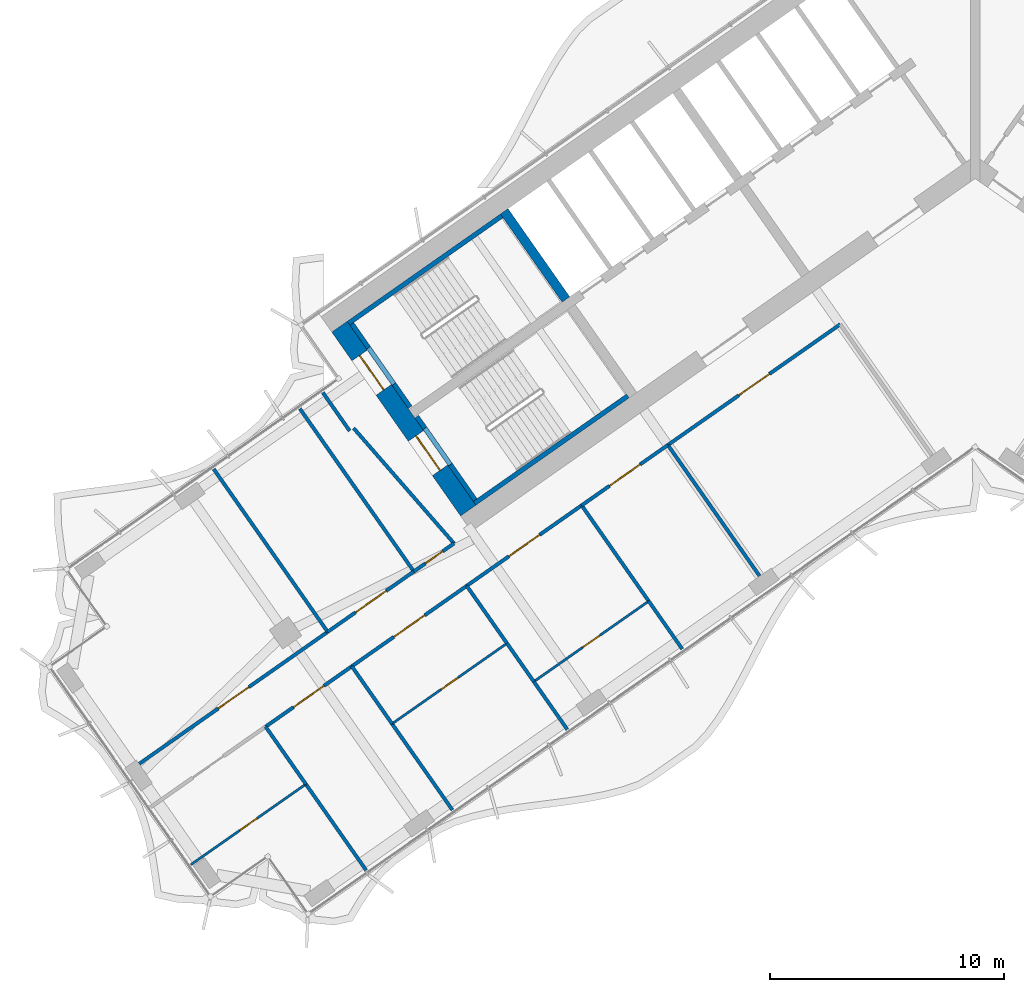
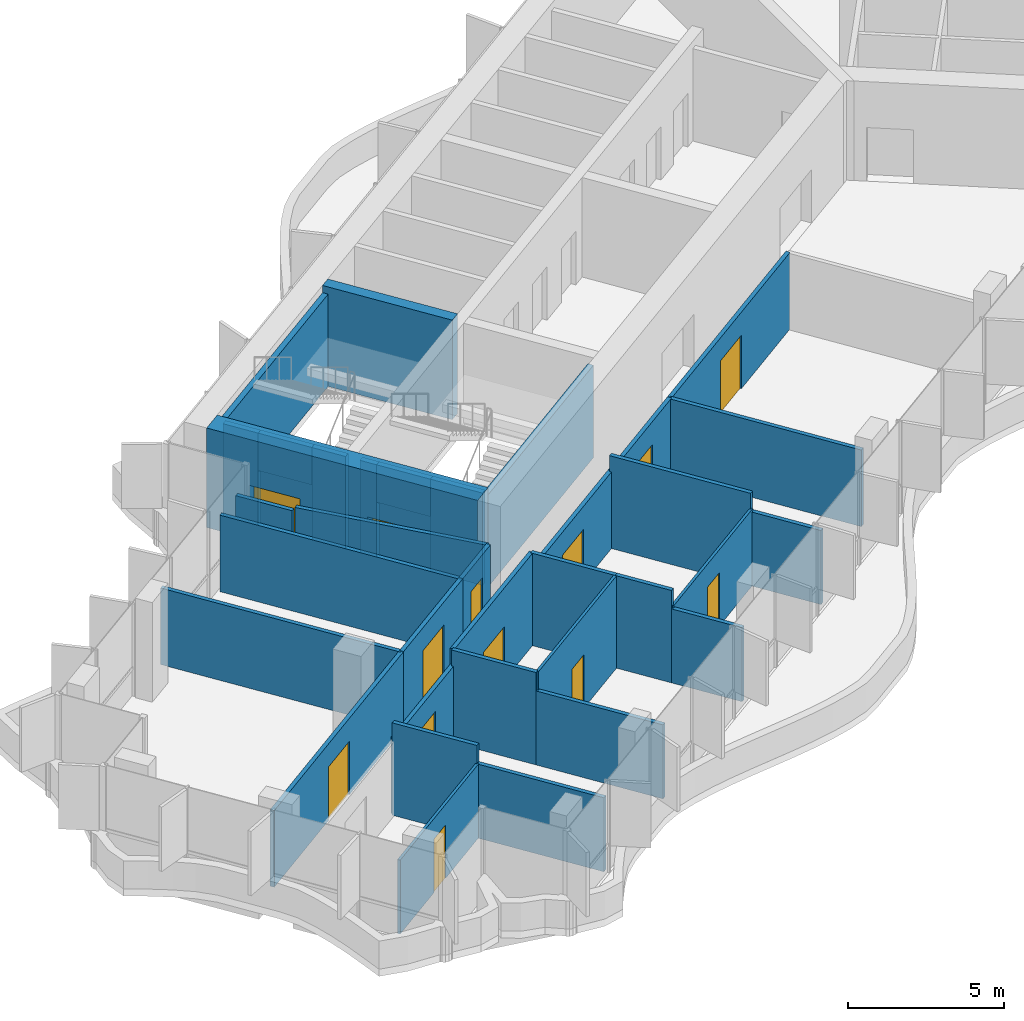
# One storey, part 12 of 21: 35 walls, 13 doors, 13 openings.
"""IFC4 building model written with IfcOpenShell, lengths in metres."""

from ifc_helpers import new_model, si_unit, direction, frame, frame_2d, origin, place, context, subcontext, project, spatial, polyline, rectangle, outline, extrude, material, layer, layer_set, type_object, element, fill, save


model = new_model("IFC4")

# Units and contexts
model_context = context("Model", 3, precision=1e-05, world=origin(), true_north=direction((0.0, 1.0)))
body_context = subcontext(model_context, "Body", "Model", "MODEL_VIEW")
ifc_project = project(units=[si_unit("LENGTHUNIT", "METRE"), si_unit("AREAUNIT", "SQUARE_METRE"), si_unit("VOLUMEUNIT", "CUBIC_METRE"), si_unit("PLANEANGLEUNIT", "RADIAN"), si_unit("MASSUNIT", "GRAM", prefix="KILO")], contexts=[model_context])

# Site, building, storey
site_placement = place(None, origin())
site = spatial("IfcSite", under=ifc_project, at=site_placement, CompositionType="ELEMENT")
building_placement = place(site_placement, origin())
building = spatial("IfcBuilding", under=site, at=building_placement, Name="Tel Ilan Convention Tower", CompositionType="ELEMENT")
storey_placement = place(building_placement, frame((0.0, 0.0, 139.800048828125)))
storey = spatial("IfcBuildingStorey", under=building, at=storey_placement, Name="L31", CompositionType="ELEMENT", Elevation=139.800048828125)

# Wall
ifc_material_1 = material(Name="Concrete C50/60", Category="concrete")
ifc_layer_1 = layer(ifc_material_1, 0.39990234375)
ifc_layer_set_1 = layer_set([ifc_layer_1], Name="Core Shear Wall 400 mm C50/60")
wall_type_1 = type_object("IfcWallType", Name="Core Shear Wall 400 mm C50/60", PredefinedType="SHEAR", material=ifc_layer_set_1)
wall_1_placement = place(storey_placement, frame((-17.497802734375, -6.392333984375, 0.0), z_axis=(0.0, 0.0, 1.0), x_axis=(-0.573611936273, 0.819127185829, 0.0)))
element("IfcWall", 1, at=wall_1_placement, inside=storey, type_object=wall_type_1, Name="L31 core wall W-cross2-2", PredefinedType="SHEAR", context=body_context, shape_type="SweptSolid", body=[
    extrude(outline(polyline([(4.599853515625, -0.2001953125), (4.599853515625, 0.199951171875), (0.0, 0.2001953125), (0.0, -0.199951171875), (4.599853515625, -0.2001953125)])), origin(), (0.0, 0.0, 1.0), 3.89990234375),
])

# Wall, openings, doors
ifc_material_2 = material(Name="Concrete C50/60", Category="concrete")
ifc_layer_2 = layer(ifc_material_2, 0.800048828125)
ifc_layer_set_2 = layer_set([ifc_layer_2], Name="Core Shear Wall 800 mm C50/60")
wall_type_2 = type_object("IfcWallType", Name="Core Shear Wall 800 mm C50/60", PredefinedType="SHEAR", material=ifc_layer_set_2)
wall_2_placement = place(storey_placement, frame((-21.6748046875, -15.4208984375, 0.0), z_axis=(0.0, 0.0, 1.0), x_axis=(-0.573581815061, 0.819148278049, 0.0)))
wall_2 = element("IfcWall", 2, at=wall_2_placement, inside=storey, type_object=wall_type_2, Name="L31 core wall W-end", PredefinedType="SHEAR", context=body_context, shape_type="SweptSolid", body=[
    extrude(outline(polyline([(0.0, 0.39990234375), (0.0, -0.39990234375), (9.599853515625, -0.400146484375), (9.599853515625, 0.39990234375), (0.0, 0.39990234375)])), origin(), (0.0, 0.0, 1.0), 3.89990234375),
])
opening_1_placement = place(wall_2_placement, frame((6.300048828125, 0.0, 0.0)))
opening_1 = element("IfcOpeningElement", 3, at=opening_1_placement, cuts=wall_2, Name="Opening SD2501", PredefinedType="OPENING", context=body_context, shape_type="SweptSolid", body=[
    extrude(rectangle(XDim=1.800048828125, YDim=2.10009765625, at=frame_2d((0.89990234375, 1.050048828125))), frame((0.0, 0.409912109375, 0.0), z_axis=(0.0, -1.0, 0.0), x_axis=(1.0, 0.0, 0.0)), (0.0, 0.0, 1.0), 0.820068359375),
])
opening_2_placement = place(wall_2_placement, frame((2.10009765625, 0.0, 0.0)))
opening_2 = element("IfcOpeningElement", 4, at=opening_2_placement, cuts=wall_2, Name="Opening SD2502", PredefinedType="OPENING", context=body_context, shape_type="SweptSolid", body=[
    extrude(rectangle(XDim=1.800048828125, YDim=2.10009765625, at=frame_2d((0.89990234375, 1.050048828125))), frame((0.0, 0.409912109375, 0.0), z_axis=(0.0, -1.0, 0.0), x_axis=(1.0, 0.0, 0.0)), (0.0, 0.0, 1.0), 0.820068359375),
])
ifc_material_3 = material(Name="Galvanised Steel Door Leaf", Category="steel")
door_type_1 = type_object("IfcDoorType", Name="Stair Fire Door 1800 x 2100 FD60S", OperationType="NOTDEFINED", PredefinedType="DOOR", material=ifc_material_3)
door_1_placement = place(opening_1_placement, origin())
door_1 = element("IfcDoor", 5, at=door_1_placement, inside=storey, type_object=door_type_1, Name="Stair S1 door", OperationType="DOUBLE_DOOR_SINGLE_SWING", OverallHeight=2.10009765625, OverallWidth=1.800048828125, PredefinedType="DOOR", context=body_context, shape_type="SweptSolid", body=[
    extrude(rectangle(XDim=1.800048828125, YDim=2.10009765625, at=frame_2d((0.89990234375, 1.050048828125))), frame((0.0, 0.02490234375, 0.0), z_axis=(0.0, -1.0, 0.0), x_axis=(1.0, 0.0, 0.0)), (0.0, 0.0, 1.0), 0.050048828125),
])
fill(opening_1, door_1)
door_2_placement = place(opening_2_placement, origin())
door_2 = element("IfcDoor", 6, at=door_2_placement, inside=storey, type_object=door_type_1, Name="Stair S2 door", OperationType="DOUBLE_DOOR_SINGLE_SWING", OverallHeight=2.10009765625, OverallWidth=1.800048828125, PredefinedType="DOOR", context=body_context, shape_type="SweptSolid", body=[
    extrude(rectangle(XDim=1.800048828125, YDim=2.10009765625, at=frame_2d((0.89990234375, 1.050048828125))), frame((0.0, 0.02490234375, 0.0), z_axis=(0.0, -1.0, 0.0), x_axis=(1.0, 0.0, 0.0)), (0.0, 0.0, 1.0), 0.050048828125),
])
fill(opening_2, door_2)

# Wall, opening, door
ifc_material_4 = material(Name="Plasterboard on Steel Studs", Category="steel")
ifc_layer_3 = layer(ifc_material_4, 0.14990234375)
ifc_layer_set_3 = layer_set([ifc_layer_3], Name="Fire-rated Partition 150 EI 60")
wall_type_3 = type_object("IfcWallType", Name="Fire-rated Partition 150 EI 60", PredefinedType="PARTITIONING", material=ifc_layer_set_3)
wall_3_placement = place(storey_placement, frame((-24.002197265625, -18.028076171875, 0.0), z_axis=(0.0, 0.0, 1.0), x_axis=(0.819144473797, 0.573587247982, 0.0)))
wall_3 = element("IfcWall", 7, at=wall_3_placement, inside=storey, type_object=wall_type_3, Name="Partition 007", PredefinedType="PARTITIONING", context=body_context, shape_type="SweptSolid", body=[
    extrude(rectangle(XDim=2.098876953125, YDim=0.14990234375, at=frame_2d((1.04931640625, 0.0))), origin(), (0.0, 0.0, 1.0), 3.0),
])
opening_3_placement = place(wall_3_placement, frame((0.599365234375, 0.0, 0.0)))
opening_3 = element("IfcOpeningElement", 8, at=opening_3_placement, cuts=wall_3, Name="Opening L31-010", PredefinedType="OPENING", context=body_context, shape_type="SweptSolid", body=[
    extrude(rectangle(XDim=0.89990234375, YDim=2.10009765625, at=frame_2d((0.449951171875, 1.050048828125))), frame((0.0, 0.0849609375, 0.0), z_axis=(0.0, -1.0, 0.0), x_axis=(1.0, 0.0, 0.0)), (0.0, 0.0, 1.0), 0.169921875),
])
ifc_material_5 = material(Name="Timber Door Leaf in Steel Frame", Category="steel")
door_type_2 = type_object("IfcDoorType", Name="Room Fire Door 900x2100", OperationType="NOTDEFINED", PredefinedType="DOOR", material=ifc_material_5)
door_3_placement = place(opening_3_placement, origin())
door_3 = element("IfcDoor", 9, at=door_3_placement, inside=storey, type_object=door_type_2, Name="Door L31-010", OperationType="SINGLE_SWING_RIGHT", OverallHeight=2.10009765625, OverallWidth=0.89990234375, PredefinedType="DOOR", context=body_context, shape_type="SweptSolid", body=[
    extrude(rectangle(XDim=0.89990234375, YDim=2.10009765625, at=frame_2d((0.449951171875, 1.050048828125))), frame((0.0, 0.02490234375, 0.0), z_axis=(0.0, -1.0, 0.0), x_axis=(1.0, 0.0, 0.0)), (0.0, 0.0, 1.0), 0.050048828125),
])
fill(opening_3, door_3)

wall_4_placement = place(storey_placement, frame((-27.6884765625, -20.609130859375, 0.0), z_axis=(0.0, 0.0, 1.0), x_axis=(0.819165703328, 0.573556928727, 0.0)))
wall_4 = element("IfcWall", 10, at=wall_4_placement, inside=storey, type_object=wall_type_3, Name="Partition 008", PredefinedType="PARTITIONING", context=body_context, shape_type="SweptSolid", body=[
    extrude(rectangle(XDim=4.50390625, YDim=0.14990234375, at=frame_2d((2.251953125, 0.0))), origin(), (0.0, 0.0, 1.0), 3.0),
])
opening_4_placement = place(wall_4_placement, frame((1.451904296875, 0.0, 0.0)))
opening_4 = element("IfcOpeningElement", 11, at=opening_4_placement, cuts=wall_4, Name="Opening L31-011", PredefinedType="OPENING", context=body_context, shape_type="SweptSolid", body=[
    extrude(rectangle(XDim=1.60009765625, YDim=2.10009765625, at=frame_2d((0.800048828125, 1.050048828125))), frame((0.0, 0.0849609375, 0.0), z_axis=(0.0, -1.0, 0.0), x_axis=(1.0, 0.0, 0.0)), (0.0, 0.0, 1.0), 0.169921875),
])
ifc_material_6 = material(Name="Timber Door Leaf in Steel Frame", Category="steel")
door_type_3 = type_object("IfcDoorType", Name="Tenant Suite Entrance Fire Door 1600x2100", OperationType="NOTDEFINED", PredefinedType="DOOR", material=ifc_material_6)
door_4_placement = place(opening_4_placement, origin())
door_4 = element("IfcDoor", 12, at=door_4_placement, inside=storey, type_object=door_type_3, Name="Door L31-011", OperationType="DOUBLE_DOOR_SINGLE_SWING", OverallHeight=2.10009765625, OverallWidth=1.60009765625, PredefinedType="DOOR", context=body_context, shape_type="SweptSolid", body=[
    extrude(rectangle(XDim=1.60009765625, YDim=2.10009765625, at=frame_2d((0.800048828125, 1.050048828125))), frame((0.0, 0.02490234375, 0.0), z_axis=(0.0, -1.0, 0.0), x_axis=(1.0, 0.0, 0.0)), (0.0, 0.0, 1.0), 0.050048828125),
])
fill(opening_4, door_4)

wall_5_placement = place(storey_placement, frame((-35.739013671875, -26.24658203125, 0.0), z_axis=(0.0, 0.0, 1.0), x_axis=(0.819133916703, 0.573602324356, 0.0)))
wall_5 = element("IfcWall", 13, at=wall_5_placement, inside=storey, type_object=wall_type_3, Name="Partition 009", PredefinedType="PARTITIONING", context=body_context, shape_type="SweptSolid", body=[
    extrude(rectangle(XDim=9.83203125, YDim=0.14990234375, at=frame_2d((4.916015625, 0.0))), origin(), (0.0, 0.0, 1.0), 3.0),
])
opening_5_placement = place(wall_5_placement, frame((4.115966796875, 0.0, 0.0)))
opening_5 = element("IfcOpeningElement", 14, at=opening_5_placement, cuts=wall_5, Name="Opening L31-012", PredefinedType="OPENING", context=body_context, shape_type="SweptSolid", body=[
    extrude(rectangle(XDim=1.60009765625, YDim=2.10009765625, at=frame_2d((0.800048828125, 1.050048828125))), frame((0.0, 0.0849609375, 0.0), z_axis=(0.0, -1.0, 0.0), x_axis=(1.0, 0.0, 0.0)), (0.0, 0.0, 1.0), 0.169921875),
])
door_5_placement = place(opening_5_placement, origin())
door_5 = element("IfcDoor", 15, at=door_5_placement, inside=storey, type_object=door_type_3, Name="Door L31-012", OperationType="DOUBLE_DOOR_SINGLE_SWING", OverallHeight=2.10009765625, OverallWidth=1.60009765625, PredefinedType="DOOR", context=body_context, shape_type="SweptSolid", body=[
    extrude(rectangle(XDim=1.60009765625, YDim=2.10009765625, at=frame_2d((0.800048828125, 1.050048828125))), frame((0.0, 0.02490234375, 0.0), z_axis=(0.0, -1.0, 0.0), x_axis=(1.0, 0.0, 0.0)), (0.0, 0.0, 1.0), 0.050048828125),
])
fill(opening_5, door_5)

wall_6_placement = place(storey_placement, frame((-5.766357421875, -7.455810546875, 0.0), z_axis=(0.0, 0.0, 1.0), x_axis=(-0.81915291695, -0.57357519006, 0.0)))
wall_6 = element("IfcWall", 16, at=wall_6_placement, inside=storey, type_object=wall_type_3, Name="Partition 010", PredefinedType="PARTITIONING", context=body_context, shape_type="SweptSolid", body=[
    extrude(rectangle(XDim=9.001953125, YDim=0.14990234375, at=frame_2d((4.5009765625, 0.0))), origin(), (0.0, 0.0, 1.0), 3.0),
])
opening_6_placement = place(wall_6_placement, frame((3.700927734375, 0.0, 0.0)))
opening_6 = element("IfcOpeningElement", 17, at=opening_6_placement, cuts=wall_6, Name="Opening L31-001", PredefinedType="OPENING", context=body_context, shape_type="SweptSolid", body=[
    extrude(rectangle(XDim=1.60009765625, YDim=2.10009765625, at=frame_2d((0.800048828125, 1.050048828125))), frame((0.0, 0.0849609375, 0.0), z_axis=(0.0, -1.0, 0.0), x_axis=(1.0, 0.0, 0.0)), (0.0, 0.0, 1.0), 0.169921875),
])
door_6_placement = place(opening_6_placement, origin())
door_6 = element("IfcDoor", 18, at=door_6_placement, inside=storey, type_object=door_type_3, Name="Door L31-001", OperationType="DOUBLE_DOOR_SINGLE_SWING", OverallHeight=2.10009765625, OverallWidth=1.60009765625, PredefinedType="DOOR", context=body_context, shape_type="SweptSolid", body=[
    extrude(rectangle(XDim=1.60009765625, YDim=2.10009765625, at=frame_2d((0.800048828125, 1.050048828125))), frame((0.0, 0.02490234375, 0.0), z_axis=(0.0, -1.0, 0.0), x_axis=(1.0, 0.0, 0.0)), (0.0, 0.0, 1.0), 0.050048828125),
])
fill(opening_6, door_6)

wall_7_placement = place(storey_placement, frame((-13.13720703125, -12.616943359375, 0.0), z_axis=(0.0, 0.0, 1.0), x_axis=(-0.819147870025, -0.573582397772, 0.0)))
wall_7 = element("IfcWall", 19, at=wall_7_placement, inside=storey, type_object=wall_type_3, Name="Partition 011", PredefinedType="PARTITIONING", context=body_context, shape_type="SweptSolid", body=[
    extrude(rectangle(XDim=4.503662109375, YDim=0.14990234375, at=frame_2d((2.251953125, 0.0))), origin(), (0.0, 0.0, 1.0), 3.0),
])
opening_7_placement = place(wall_7_placement, frame((1.451904296875, 0.0, 0.0)))
opening_7 = element("IfcOpeningElement", 20, at=opening_7_placement, cuts=wall_7, Name="Opening L31-002", PredefinedType="OPENING", context=body_context, shape_type="SweptSolid", body=[
    extrude(rectangle(XDim=1.60009765625, YDim=2.10009765625, at=frame_2d((0.800048828125, 1.050048828125))), frame((0.0, 0.0849609375, 0.0), z_axis=(0.0, -1.0, 0.0), x_axis=(1.0, 0.0, 0.0)), (0.0, 0.0, 1.0), 0.169921875),
])
door_7_placement = place(opening_7_placement, origin())
door_7 = element("IfcDoor", 21, at=door_7_placement, inside=storey, type_object=door_type_3, Name="Door L31-002", OperationType="DOUBLE_DOOR_SINGLE_SWING", OverallHeight=2.10009765625, OverallWidth=1.60009765625, PredefinedType="DOOR", context=body_context, shape_type="SweptSolid", body=[
    extrude(rectangle(XDim=1.60009765625, YDim=2.10009765625, at=frame_2d((0.800048828125, 1.050048828125))), frame((0.0, 0.02490234375, 0.0), z_axis=(0.0, -1.0, 0.0), x_axis=(1.0, 0.0, 0.0)), (0.0, 0.0, 1.0), 0.050048828125),
])
fill(opening_7, door_7)

wall_8_placement = place(storey_placement, frame((-16.8232421875, -15.197998046875, 0.0), z_axis=(0.0, 0.0, 1.0), x_axis=(-0.819165052243, -0.573557858619, 0.0)))
wall_8 = element("IfcWall", 22, at=wall_8_placement, inside=storey, type_object=wall_type_3, Name="Partition 012", PredefinedType="PARTITIONING", context=body_context, shape_type="SweptSolid", body=[
    extrude(rectangle(XDim=6.00390625, YDim=0.14990234375, at=frame_2d((3.001953125, 0.0))), origin(), (0.0, 0.0, 1.0), 3.0),
])
opening_8_placement = place(wall_8_placement, frame((2.201904296875, 0.0, 0.0)))
opening_8 = element("IfcOpeningElement", 23, at=opening_8_placement, cuts=wall_8, Name="Opening L31-003", PredefinedType="OPENING", context=body_context, shape_type="SweptSolid", body=[
    extrude(rectangle(XDim=1.60009765625, YDim=2.10009765625, at=frame_2d((0.800048828125, 1.050048828125))), frame((0.0, 0.0849609375, 0.0), z_axis=(0.0, -1.0, 0.0), x_axis=(1.0, 0.0, 0.0)), (0.0, 0.0, 1.0), 0.169921875),
])
door_8_placement = place(opening_8_placement, origin())
door_8 = element("IfcDoor", 24, at=door_8_placement, inside=storey, type_object=door_type_3, Name="Door L31-003", OperationType="DOUBLE_DOOR_SINGLE_SWING", OverallHeight=2.10009765625, OverallWidth=1.60009765625, PredefinedType="DOOR", context=body_context, shape_type="SweptSolid", body=[
    extrude(rectangle(XDim=1.60009765625, YDim=2.10009765625, at=frame_2d((0.800048828125, 1.050048828125))), frame((0.0, 0.02490234375, 0.0), z_axis=(0.0, -1.0, 0.0), x_axis=(1.0, 0.0, 0.0)), (0.0, 0.0, 1.0), 0.050048828125),
])
fill(opening_8, door_8)

wall_9_placement = place(storey_placement, frame((-21.73828125, -18.639404296875, 0.0), z_axis=(0.0, 0.0, 1.0), x_axis=(-0.819145946981, -0.573585144111, 0.0)))
wall_9 = element("IfcWall", 25, at=wall_9_placement, inside=storey, type_object=wall_type_3, Name="Partition 013", PredefinedType="PARTITIONING", context=body_context, shape_type="SweptSolid", body=[
    extrude(rectangle(XDim=6.004150390625, YDim=0.14990234375, at=frame_2d((3.001953125, 0.0))), origin(), (0.0, 0.0, 1.0), 3.619873046875),
])
opening_9_placement = place(wall_9_placement, frame((2.201904296875, 0.0, 0.0)))
opening_9 = element("IfcOpeningElement", 26, at=opening_9_placement, cuts=wall_9, Name="Opening L31-005", PredefinedType="OPENING", context=body_context, shape_type="SweptSolid", body=[
    extrude(rectangle(XDim=1.60009765625, YDim=2.10009765625, at=frame_2d((0.800048828125, 1.050048828125))), frame((0.0, 0.0849609375, 0.0), z_axis=(0.0, -1.0, 0.0), x_axis=(1.0, 0.0, 0.0)), (0.0, 0.0, 1.0), 0.169921875),
])
door_9_placement = place(opening_9_placement, origin())
door_9 = element("IfcDoor", 27, at=door_9_placement, inside=storey, type_object=door_type_3, Name="Door L31-005", OperationType="DOUBLE_DOOR_SINGLE_SWING", OverallHeight=2.10009765625, OverallWidth=1.60009765625, PredefinedType="DOOR", context=body_context, shape_type="SweptSolid", body=[
    extrude(rectangle(XDim=1.60009765625, YDim=2.10009765625, at=frame_2d((0.800048828125, 1.050048828125))), frame((0.0, 0.02490234375, 0.0), z_axis=(0.0, -1.0, 0.0), x_axis=(1.0, 0.0, 0.0)), (0.0, 0.0, 1.0), 0.050048828125),
])
fill(opening_9, door_9)

wall_10_placement = place(storey_placement, frame((-26.653076171875, -22.080810546875, 0.0), z_axis=(0.0, 0.0, 1.0), x_axis=(-0.819140235121, -0.573593301221, 0.0)))
wall_10 = element("IfcWall", 28, at=wall_10_placement, inside=storey, type_object=wall_type_3, Name="Partition 014", PredefinedType="PARTITIONING", context=body_context, shape_type="SweptSolid", body=[
    extrude(rectangle(XDim=4.504150390625, YDim=0.14990234375, at=frame_2d((2.251953125, 0.0))), origin(), (0.0, 0.0, 1.0), 3.0),
])
opening_10_placement = place(wall_10_placement, frame((1.451904296875, 0.0, 0.0)))
opening_10 = element("IfcOpeningElement", 29, at=opening_10_placement, cuts=wall_10, Name="Opening L31-007", PredefinedType="OPENING", context=body_context, shape_type="SweptSolid", body=[
    extrude(rectangle(XDim=1.60009765625, YDim=2.10009765625, at=frame_2d((0.800048828125, 1.050048828125))), frame((0.0, 0.0849609375, 0.0), z_axis=(0.0, -1.0, 0.0), x_axis=(1.0, 0.0, 0.0)), (0.0, 0.0, 1.0), 0.169921875),
])
door_10_placement = place(opening_10_placement, origin())
door_10 = element("IfcDoor", 30, at=door_10_placement, inside=storey, type_object=door_type_3, Name="Door L31-007", OperationType="DOUBLE_DOOR_SINGLE_SWING", OverallHeight=2.10009765625, OverallWidth=1.60009765625, PredefinedType="DOOR", context=body_context, shape_type="SweptSolid", body=[
    extrude(rectangle(XDim=1.60009765625, YDim=2.10009765625, at=frame_2d((0.800048828125, 1.050048828125))), frame((0.0, 0.02490234375, 0.0), z_axis=(0.0, -1.0, 0.0), x_axis=(1.0, 0.0, 0.0)), (0.0, 0.0, 1.0), 0.050048828125),
])
fill(opening_10, door_10)

# Walls
wall_11_placement = place(storey_placement, frame((-26.74609375, -12.013671875, 0.0), z_axis=(0.0, 0.0, 1.0), x_axis=(-0.573568836472, 0.819157365729, 0.0)))
element("IfcWall", 31, at=wall_11_placement, inside=storey, type_object=wall_type_3, Name="Partition 026", PredefinedType="PARTITIONING", context=body_context, shape_type="SweptSolid", body=[
    extrude(rectangle(XDim=2.000244140625, YDim=0.14990234375, at=frame_2d((1.0, 0.0))), origin(), (0.0, 0.0, 1.0), 3.0),
])
wall_12_placement = place(storey_placement, frame((-22.28369140625, -16.826416015625, 0.0), z_axis=(0.0, 0.0, 1.0), x_axis=(-0.656758142177, 0.754101281449, 0.0)))
element("IfcWall", 32, at=wall_12_placement, inside=storey, type_object=wall_type_3, Name="Partition 027", PredefinedType="PARTITIONING", context=body_context, shape_type="SweptSolid", body=[
    extrude(rectangle(XDim=6.53857421875, YDim=0.14990234375, at=frame_2d((3.269287109375, 0.0))), origin(), (0.0, 0.0, 1.0), 3.0),
])
wall_13_placement = place(storey_placement, frame((-24.0009765625, -18.0263671875, 0.0), z_axis=(0.0, 0.0, 1.0), x_axis=(-0.573591492816, 0.819141501433, 0.0)))
element("IfcWall", 33, at=wall_13_placement, inside=storey, type_object=wall_type_3, Name="Partition 028", PredefinedType="PARTITIONING", context=body_context, shape_type="SweptSolid", body=[
    extrude(rectangle(XDim=8.5, YDim=0.14990234375, at=frame_2d((4.25, 0.0))), origin(), (0.0, 0.0, 1.0), 3.0),
])
wall_14_placement = place(storey_placement, frame((-27.687255859375, -20.607421875, 0.0), z_axis=(0.0, 0.0, 1.0), x_axis=(-0.573572219642, 0.819154996844, 0.0)))
element("IfcWall", 34, at=wall_14_placement, inside=storey, type_object=wall_type_3, Name="Partition 029", PredefinedType="PARTITIONING", context=body_context, shape_type="SweptSolid", body=[
    extrude(rectangle(XDim=8.499755859375, YDim=0.14990234375, at=frame_2d((4.25, 0.0))), origin(), (0.0, 0.0, 1.0), 3.0),
])
wall_15_placement = place(storey_placement, frame((-9.22119140625, -18.212890625, 0.0), z_axis=(0.0, 0.0, 1.0), x_axis=(-0.573560698343, 0.819163063936, 0.0)))
element("IfcWall", 35, at=wall_15_placement, inside=storey, type_object=wall_type_3, Name="Partition 030", PredefinedType="PARTITIONING", context=body_context, shape_type="SweptSolid", body=[
    extrude(rectangle(XDim=6.830078125, YDim=0.14990234375, at=frame_2d((3.4150390625, 0.0))), origin(), (0.0, 0.0, 1.0), 3.0),
])
wall_16_placement = place(storey_placement, frame((-12.523193359375, -21.3427734375, 0.0), z_axis=(0.0, 0.0, 1.0), x_axis=(-0.573501652684, 0.819204403289, 0.0)))
element("IfcWall", 36, at=wall_16_placement, inside=storey, type_object=wall_type_3, Name="Partition 031", PredefinedType="PARTITIONING", context=body_context, shape_type="SweptSolid", body=[
    extrude(rectangle(XDim=2.5009765625, YDim=0.14990234375, at=frame_2d((1.25048828125, 0.0))), origin(), (0.0, 0.0, 1.0), 2.89990234375),
])
wall_17_placement = place(storey_placement, frame((-13.955810546875, -19.29638671875, 0.0), z_axis=(0.0, 0.0, 1.0), x_axis=(-0.573613022702, 0.819126425033, 0.0)))
element("IfcWall", 37, at=wall_17_placement, inside=storey, type_object=wall_type_3, Name="Partition 032", PredefinedType="PARTITIONING", context=body_context, shape_type="SweptSolid", body=[
    extrude(rectangle(XDim=5.001953125, YDim=0.14990234375, at=frame_2d((2.5009765625, 0.0))), origin(), (0.0, 0.0, 1.0), 3.619873046875),
])
wall_18_placement = place(storey_placement, frame((-17.43798828125, -24.7841796875, 0.0), z_axis=(0.0, 0.0, 1.0), x_axis=(-0.573560689761, 0.819163069945, 0.0)))
element("IfcWall", 38, at=wall_18_placement, inside=storey, type_object=wall_type_3, Name="Partition 034", PredefinedType="PARTITIONING", context=body_context, shape_type="SweptSolid", body=[
    extrude(rectangle(XDim=2.4990234375, YDim=0.14990234375, at=frame_2d((1.24951171875, 0.0))), origin(), (0.0, 0.0, 1.0), 2.89990234375),
])
wall_19_placement = place(storey_placement, frame((-18.871826171875, -22.736328125, 0.0), z_axis=(0.0, 0.0, 1.0), x_axis=(-0.573642464246, 0.819105807093, 0.0)))
element("IfcWall", 39, at=wall_19_placement, inside=storey, type_object=wall_type_3, Name="Partition 035", PredefinedType="PARTITIONING", context=body_context, shape_type="SweptSolid", body=[
    extrude(rectangle(XDim=2.001220703125, YDim=0.14990234375, at=frame_2d((1.00048828125, 0.0))), origin(), (0.0, 0.0, 1.0), 3.619873046875),
])
wall_20_placement = place(storey_placement, frame((-20.017822265625, -21.099609375, 0.0), z_axis=(0.0, 0.0, 1.0), x_axis=(-0.573604249862, 0.819132568355, 0.0)))
element("IfcWall", 40, at=wall_20_placement, inside=storey, type_object=wall_type_3, Name="Partition 036", PredefinedType="PARTITIONING", context=body_context, shape_type="SweptSolid", body=[
    extrude(rectangle(XDim=3.001953125, YDim=0.14990234375, at=frame_2d((1.5009765625, 0.0))), origin(), (0.0, 0.0, 1.0), 3.619873046875),
])
wall_21_placement = place(storey_placement, frame((-22.352783203125, -28.2255859375, 0.0), z_axis=(0.0, 0.0, 1.0), x_axis=(-0.573589807488, 0.819142681555, 0.0)))
element("IfcWall", 41, at=wall_21_placement, inside=storey, type_object=wall_type_3, Name="Partition 038", PredefinedType="PARTITIONING", context=body_context, shape_type="SweptSolid", body=[
    extrude(rectangle(XDim=4.4990234375, YDim=0.14990234375, at=frame_2d((2.24951171875, 0.0))), origin(), (0.0, 0.0, 1.0), 2.89990234375),
])
wall_22_placement = place(storey_placement, frame((-24.93408203125, -24.53955078125, 0.0), z_axis=(0.0, 0.0, 1.0), x_axis=(-0.573560650686, 0.819163097304, 0.0)))
element("IfcWall", 42, at=wall_22_placement, inside=storey, type_object=wall_type_3, Name="Partition 039", PredefinedType="PARTITIONING", context=body_context, shape_type="SweptSolid", body=[
    extrude(rectangle(XDim=3.0, YDim=0.14990234375, at=frame_2d((1.5, 0.0))), origin(), (0.0, 0.0, 1.0), 3.619873046875),
])
wall_23_placement = place(storey_placement, frame((-26.0390625, -30.806640625, 0.0), z_axis=(0.0, 0.0, 1.0), x_axis=(-0.573593387921, 0.81914017441, 0.0)))
element("IfcWall", 43, at=wall_23_placement, inside=storey, type_object=wall_type_3, Name="Partition 040", PredefinedType="PARTITIONING", context=body_context, shape_type="SweptSolid", body=[
    extrude(rectangle(XDim=4.5009765625, YDim=0.14990234375, at=frame_2d((2.25048828125, 0.0))), origin(), (0.0, 0.0, 1.0), 2.89990234375),
])
wall_24_placement = place(storey_placement, frame((-28.618896484375, -27.122314453125, 0.0), z_axis=(0.0, 0.0, 1.0), x_axis=(-0.57356603932, 0.81915932427, 0.0)))
element("IfcWall", 44, at=wall_24_placement, inside=storey, type_object=wall_type_3, Name="Partition 041", PredefinedType="PARTITIONING", context=body_context, shape_type="SweptSolid", body=[
    extrude(rectangle(XDim=3.002197265625, YDim=0.14990234375, at=frame_2d((1.5009765625, 0.0))), origin(), (0.0, 0.0, 1.0), 3.619873046875),
])

# Wall, opening, door
ifc_material_7 = material(Name="Plasterboard on Steel Studs", Category="steel")
ifc_layer_4 = layer(ifc_material_7, 0.10009765625)
ifc_layer_set_4 = layer_set([ifc_layer_4], Name="Plasterboard Partition 100")
wall_type_4 = type_object("IfcWallType", Name="Plasterboard Partition 100", PredefinedType="PARTITIONING", material=ifc_layer_set_4)
wall_25_placement = place(storey_placement, frame((-13.95654296875, -19.295654296875, 0.0), z_axis=(0.0, 0.0, 1.0), x_axis=(-0.819149710902, -0.573579768758, 0.0)))
wall_25 = element("IfcWall", 45, at=wall_25_placement, inside=storey, type_object=wall_type_4, Name="Partition 033", PredefinedType="PARTITIONING", context=body_context, shape_type="SweptSolid", body=[
    extrude(rectangle(XDim=5.999755859375, YDim=0.10009765625, at=frame_2d((3.0, 0.0))), origin(), (0.0, 0.0, 1.0), 3.0),
])
opening_11_placement = place(wall_25_placement, frame((2.550048828125, 0.0, 0.0)))
opening_11 = element("IfcOpeningElement", 46, at=opening_11_placement, cuts=wall_25, Name="Opening L31-004", PredefinedType="OPENING", context=body_context, shape_type="SweptSolid", body=[
    extrude(rectangle(XDim=0.89990234375, YDim=2.10009765625, at=frame_2d((0.449951171875, 1.050048828125))), frame((0.0, 0.06005859375, 0.0), z_axis=(0.0, -1.0, 0.0), x_axis=(1.0, 0.0, 0.0)), (0.0, 0.0, 1.0), 0.1201171875),
])
ifc_material_8 = material(Name="Timber Door Leaf in Steel Frame", Category="steel")
door_type_4 = type_object("IfcDoorType", Name="Room Timber Door 900x2100", OperationType="NOTDEFINED", PredefinedType="DOOR", material=ifc_material_8)
door_11_placement = place(opening_11_placement, origin())
door_11 = element("IfcDoor", 47, at=door_11_placement, inside=storey, type_object=door_type_4, Name="Door L31-004", OperationType="SINGLE_SWING_RIGHT", OverallHeight=2.10009765625, OverallWidth=0.89990234375, PredefinedType="DOOR", context=body_context, shape_type="SweptSolid", body=[
    extrude(rectangle(XDim=0.89990234375, YDim=2.10009765625, at=frame_2d((0.449951171875, 1.050048828125))), frame((0.0, 0.02490234375, 0.0), z_axis=(0.0, -1.0, 0.0), x_axis=(1.0, 0.0, 0.0)), (0.0, 0.0, 1.0), 0.050048828125),
])
fill(opening_11, door_11)

wall_26_placement = place(storey_placement, frame((-20.0185546875, -21.098876953125, 0.0), z_axis=(0.0, 0.0, 1.0), x_axis=(-0.819149710902, -0.573579768758, 0.0)))
wall_26 = element("IfcWall", 48, at=wall_26_placement, inside=storey, type_object=wall_type_4, Name="Partition 037", PredefinedType="PARTITIONING", context=body_context, shape_type="SweptSolid", body=[
    extrude(rectangle(XDim=5.999755859375, YDim=0.10009765625, at=frame_2d((3.0, 0.0))), origin(), (0.0, 0.0, 1.0), 3.619873046875),
])
opening_12_placement = place(wall_26_placement, frame((2.550048828125, 0.0, 0.0)))
opening_12 = element("IfcOpeningElement", 49, at=opening_12_placement, cuts=wall_26, Name="Opening L31-006", PredefinedType="OPENING", context=body_context, shape_type="SweptSolid", body=[
    extrude(rectangle(XDim=0.89990234375, YDim=2.10009765625, at=frame_2d((0.449951171875, 1.050048828125))), frame((0.0, 0.06005859375, 0.0), z_axis=(0.0, -1.0, 0.0), x_axis=(1.0, 0.0, 0.0)), (0.0, 0.0, 1.0), 0.1201171875),
])
door_12_placement = place(opening_12_placement, origin())
door_12 = element("IfcDoor", 50, at=door_12_placement, inside=storey, type_object=door_type_4, Name="Door L31-006", OperationType="SINGLE_SWING_RIGHT", OverallHeight=2.10009765625, OverallWidth=0.89990234375, PredefinedType="DOOR", context=body_context, shape_type="SweptSolid", body=[
    extrude(rectangle(XDim=0.89990234375, YDim=2.10009765625, at=frame_2d((0.449951171875, 1.050048828125))), frame((0.0, 0.02490234375, 0.0), z_axis=(0.0, -1.0, 0.0), x_axis=(1.0, 0.0, 0.0)), (0.0, 0.0, 1.0), 0.050048828125),
])
fill(opening_12, door_12)

wall_27_placement = place(storey_placement, frame((-28.61962890625, -27.121337890625, 0.0), z_axis=(0.0, 0.0, 1.0), x_axis=(-0.819149710902, -0.573579768758, 0.0)))
wall_27 = element("IfcWall", 51, at=wall_27_placement, inside=storey, type_object=wall_type_4, Name="Partition 042", PredefinedType="PARTITIONING", context=body_context, shape_type="SweptSolid", body=[
    extrude(rectangle(XDim=5.999755859375, YDim=0.10009765625, at=frame_2d((3.0, 0.0))), origin(), (0.0, 0.0, 1.0), 2.89990234375),
])
opening_13_placement = place(wall_27_placement, frame((2.550048828125, 0.0, 0.0)))
opening_13 = element("IfcOpeningElement", 52, at=opening_13_placement, cuts=wall_27, Name="Opening L31-009", PredefinedType="OPENING", context=body_context, shape_type="SweptSolid", body=[
    extrude(rectangle(XDim=0.89990234375, YDim=2.10009765625, at=frame_2d((0.449951171875, 1.050048828125))), frame((0.0, 0.06005859375, 0.0), z_axis=(0.0, -1.0, 0.0), x_axis=(1.0, 0.0, 0.0)), (0.0, 0.0, 1.0), 0.1201171875),
])
door_13_placement = place(opening_13_placement, origin())
door_13 = element("IfcDoor", 53, at=door_13_placement, inside=storey, type_object=door_type_4, Name="Door L31-009", OperationType="SINGLE_SWING_LEFT", OverallHeight=2.10009765625, OverallWidth=0.89990234375, PredefinedType="DOOR", context=body_context, shape_type="SweptSolid", body=[
    extrude(rectangle(XDim=0.89990234375, YDim=2.10009765625, at=frame_2d((0.449951171875, 1.050048828125))), frame((0.0, 0.02490234375, 0.0), z_axis=(0.0, -1.0, 0.0), x_axis=(1.0, 0.0, 0.0)), (0.0, 0.0, 1.0), 0.050048828125),
])
fill(opening_13, door_13)

# Walls
ifc_material_9 = material(Name="Concrete C30/37", Category="concrete")
ifc_layer_5 = layer(ifc_material_9, 0.199951171875)
ifc_layer_set_5 = layer_set([ifc_layer_5], Name="Stair and Shaft Lining Wall 200 mm C30/37")
wall_type_5 = type_object("IfcWallType", Name="Stair and Shaft Lining Wall 200 mm C30/37", PredefinedType="SOLIDWALL", material=ifc_layer_set_5)
wall_28_placement = place(storey_placement, frame((-20.242919921875, -2.821044921875, 0.0), z_axis=(0.0, 0.0, 1.0), x_axis=(-0.819141584393, -0.57359137434, 0.0)))
element("IfcWall", 54, at=wall_28_placement, inside=storey, type_object=wall_type_5, Name="L31 core wall lining-S1-t1", PredefinedType="SOLIDWALL", context=body_context, shape_type="SweptSolid", body=[
    extrude(rectangle(XDim=7.999755859375, YDim=0.199951171875, at=frame_2d((4.0, 0.0))), origin(), (0.0, 0.0, 1.0), 3.619873046875),
])
wall_29_placement = place(storey_placement, frame((-24.16162109375, -10.99755859375, 0.0), z_axis=(0.0, 0.0, 1.0), x_axis=(-0.573612502218, 0.819126789514, 0.0)))
element("IfcWall", 55, at=wall_29_placement, inside=storey, type_object=wall_type_5, Name="L31 core wall lining-S1-u1-0", PredefinedType="SOLIDWALL", context=body_context, shape_type="SweptSolid", body=[
    extrude(rectangle(XDim=1.2001953125, YDim=0.199951171875, at=frame_2d((0.60009765625, 0.0))), origin(), (0.0, 0.0, 1.0), 3.619873046875),
])
wall_30_placement = place(storey_placement, frame((-25.939697265625, -8.4580078125, 0.0), z_axis=(0.0, 0.0, 1.0), x_axis=(-0.573619628835, 0.819121798889, 0.0)))
element("IfcWall", 56, at=wall_30_placement, inside=storey, type_object=wall_type_5, Name="L31 core wall lining-S1-u1-1", PredefinedType="SOLIDWALL", context=body_context, shape_type="SweptSolid", body=[
    extrude(rectangle(XDim=1.25, YDim=0.199951171875, at=frame_2d((0.625, 0.0))), origin(), (0.0, 0.0, 1.0), 3.619873046875),
])
wall_31_placement = place(storey_placement, frame((-24.85009765625, -10.014404296875, 2.14990234375), z_axis=(0.0, 0.0, 1.0), x_axis=(-0.573505465124, 0.819201734296, 0.0)))
element("IfcWall", 57, at=wall_31_placement, inside=storey, type_object=wall_type_5, Name="L31 core wall lining-S1-u1-lintel", PredefinedType="SOLIDWALL", context=body_context, shape_type="SweptSolid", body=[
    extrude(rectangle(XDim=1.89990234375, YDim=0.199951171875, at=frame_2d((0.949951171875, 0.0))), origin(), (0.0, 0.0, 1.0), 1.469970703125),
])
wall_32_placement = place(storey_placement, frame((-14.851318359375, -10.52099609375, 0.0), z_axis=(0.0, 0.0, 1.0), x_axis=(-0.819141584393, -0.57359137434, 0.0)))
element("IfcWall", 58, at=wall_32_placement, inside=storey, type_object=wall_type_5, Name="L31 core wall lining-S2-t0", PredefinedType="SOLIDWALL", context=body_context, shape_type="SweptSolid", body=[
    extrude(rectangle(XDim=7.999755859375, YDim=0.199951171875, at=frame_2d((4.0, 0.0))), origin(), (0.0, 0.0, 1.0), 3.619873046875),
])
wall_33_placement = place(storey_placement, frame((-21.3798828125, -14.97021484375, 0.0), z_axis=(0.0, 0.0, 1.0), x_axis=(-0.573559770908, 0.819163713305, 0.0)))
element("IfcWall", 59, at=wall_33_placement, inside=storey, type_object=wall_type_5, Name="L31 core wall lining-S2-u1-0", PredefinedType="SOLIDWALL", context=body_context, shape_type="SweptSolid", body=[
    extrude(rectangle(XDim=1.849853515625, YDim=0.199951171875, at=frame_2d((0.9248046875, 0.0))), origin(), (0.0, 0.0, 1.0), 3.619873046875),
])
wall_34_placement = place(storey_placement, frame((-23.53076171875, -11.8984375, 0.0), z_axis=(0.0, 0.0, 1.0), x_axis=(-0.573708088123, 0.819059844958, 0.0)))
element("IfcWall", 60, at=wall_34_placement, inside=storey, type_object=wall_type_5, Name="L31 core wall lining-S2-u1-1", PredefinedType="SOLIDWALL", context=body_context, shape_type="SweptSolid", body=[
    extrude(rectangle(XDim=0.60009765625, YDim=0.199951171875, at=frame_2d((0.300048828125, 0.0))), origin(), (0.0, 0.0, 1.0), 3.619873046875),
])
wall_35_placement = place(storey_placement, frame((-22.44091796875, -13.454833984375, 2.14990234375), z_axis=(0.0, 0.0, 1.0), x_axis=(-0.573591692345, 0.819141361715, 0.0)))
element("IfcWall", 61, at=wall_35_placement, inside=storey, type_object=wall_type_5, Name="L31 core wall lining-S2-u1-lintel", PredefinedType="SOLIDWALL", context=body_context, shape_type="SweptSolid", body=[
    extrude(rectangle(XDim=1.900146484375, YDim=0.199951171875, at=frame_2d((0.9501953125, 0.0))), origin(), (0.0, 0.0, 1.0), 1.469970703125),
])

save(model, "model.ifc")
